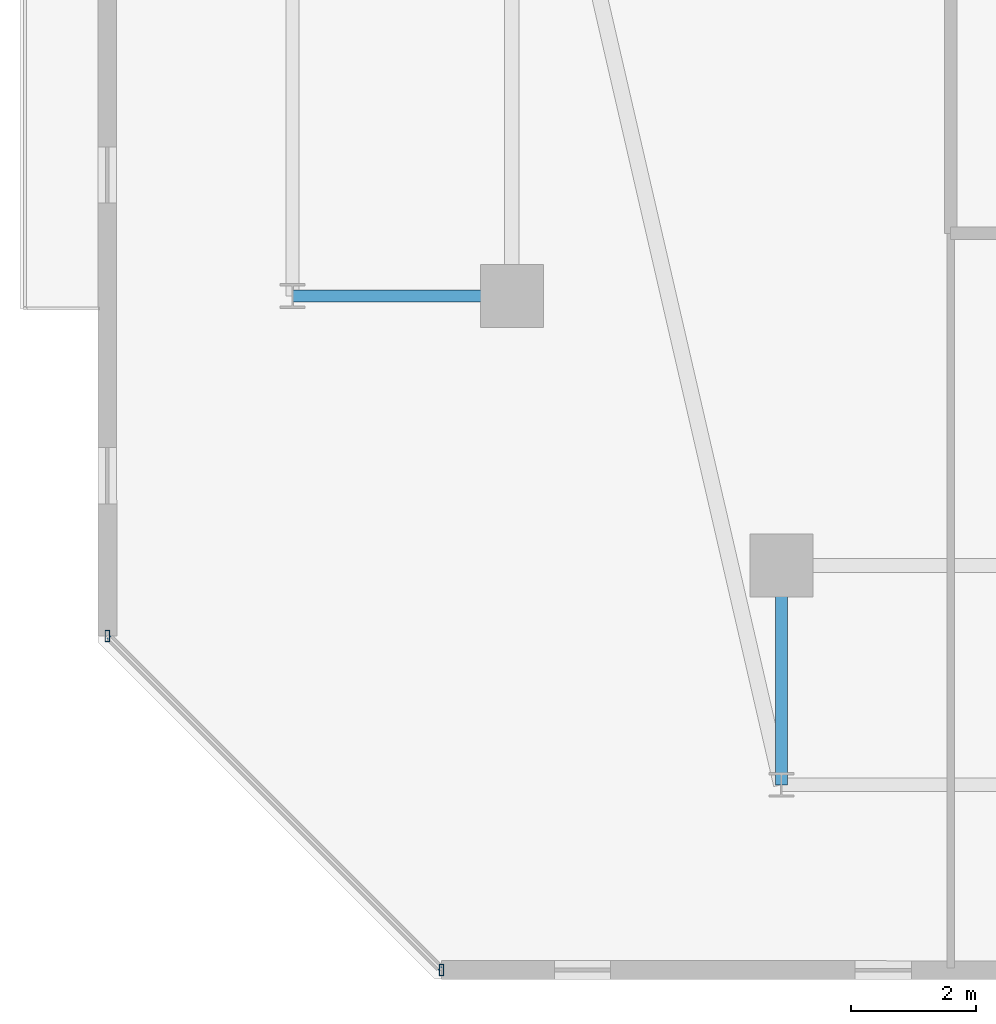
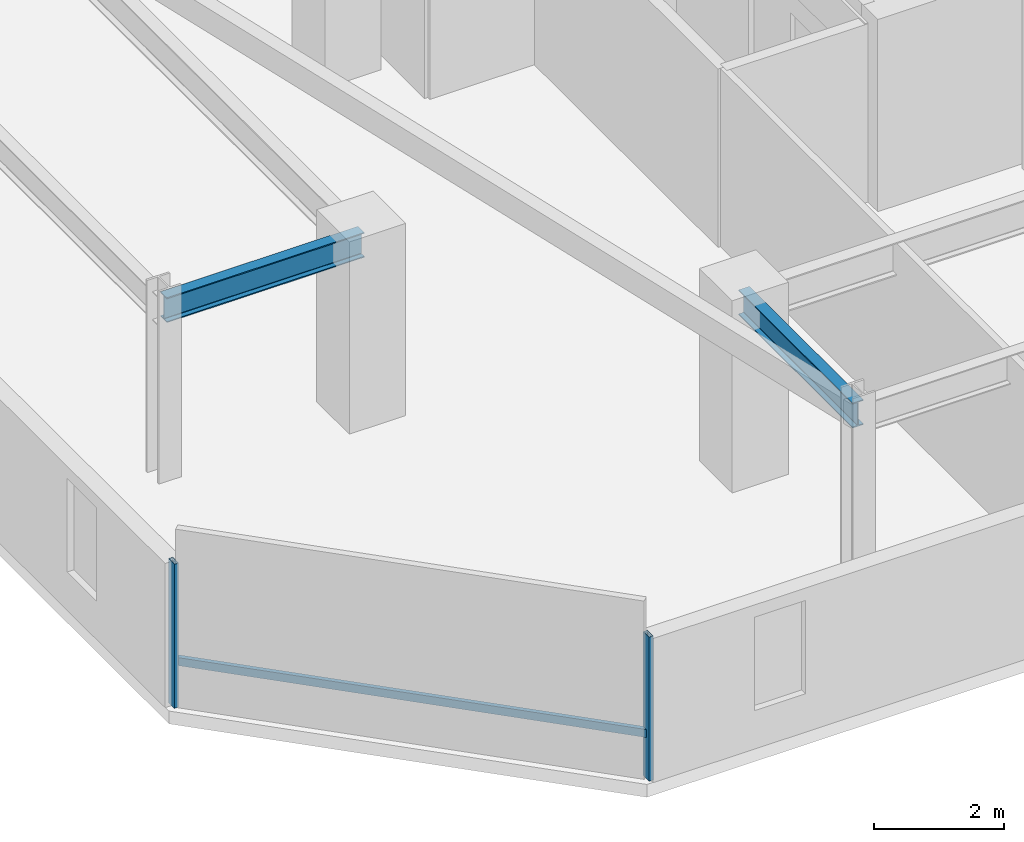
# One storey, part 3 of 32: 3 members, 2 beams, 1 element without a shape of its own.
"""IFC4 building model written with IfcOpenShell, lengths in metres."""

from ifc_helpers import new_model, si_unit, direction, frame, origin, origin_2d, place, context, subcontext, project, spatial, hollow_rectangle, i_section, extrude, material, material_profile, profile_set, type_object, element, aggregate, save


model = new_model("IFC4")

# Units and contexts
model_context = context("Model", 3, precision=1e-05, world=origin(), true_north=direction((0.0, 1.0)))
body_context = subcontext(model_context, "Body", "Model", "MODEL_VIEW")
ifc_project = project(units=[si_unit("LENGTHUNIT", "METRE"), si_unit("AREAUNIT", "SQUARE_METRE"), si_unit("VOLUMEUNIT", "CUBIC_METRE"), si_unit("PLANEANGLEUNIT", "RADIAN"), si_unit("MASSUNIT", "GRAM", prefix="KILO")], contexts=[model_context])

# Site, building, storey
site_placement = place(None, origin())
site = spatial("IfcSite", under=ifc_project, at=site_placement, CompositionType="ELEMENT")
building_placement = place(site_placement, origin())
building = spatial("IfcBuilding", under=site, at=building_placement, Name="Thornwick Lancets Civic Towers", CompositionType="ELEMENT")
storey_placement = place(building_placement, frame((0.0, 0.0, 240.300048828125)))
storey = spatial("IfcBuildingStorey", under=building, at=storey_placement, Name="L64", CompositionType="ELEMENT", Elevation=240.300048828125)

# Beams
ifc_material_1 = material(Name="Steel S355JR", Category="steel")
ifc_material_profile_1 = material_profile(ifc_material_1, i_section(OverallWidth=0.19287109375, OverallDepth=0.46728515625, WebThickness=0.011474609375, FlangeThickness=0.01953125, FilletRadius=0.01025390625, at=origin_2d()), Name="UKB 457x191x98")
ifc_profile_set_1 = profile_set([ifc_material_profile_1], Name="Steel S355JR")
beam_type = type_object("IfcBeamType", Name="BM_JOIST_457_98", PredefinedType="JOIST", material=ifc_profile_set_1)
for number, where, z_axis, x_axis, name in (
    (1, (12.5, 9.699951171875, 3.12646484375), (0.0, -1.0, 0.0), (1.0, 0.0, 0.0), "BM-RAD-L64-A01"),
    (2, (8.199951171875, 14.0, 3.12646484375), (-1.0, 0.0, 0.0), (0.0, -1.0, 0.0), "BM-RAD-L64-A10"),
):
    element("IfcBeam", number, at=place(storey_placement, frame(where, z_axis=z_axis, x_axis=x_axis)), inside=storey, type_object=beam_type, Name=name, PredefinedType="JOIST", context=body_context, shape_type="SweptSolid", body=[
        extrude(i_section(OverallWidth=0.19287109375, OverallDepth=0.46728515625, WebThickness=0.011474609375, FlangeThickness=0.01953125, FilletRadius=0.01025390625, at=origin_2d()), origin(), (0.0, 0.0, 1.0), 3.5),
    ])

# Curtain wall, members
ifc_material_2 = material(Name="High-zone chamfered-corner unitised glass curtain wall", Category="glass")
curtain_wall_type = type_object("IfcCurtainWallType", Name="CW_SYS_05", PredefinedType="NOTDEFINED", material=ifc_material_2)
curtain_wall_placement = place(storey_placement, origin())
curtain_wall = element("IfcCurtainWall", 3, at=curtain_wall_placement, inside=storey, type_object=curtain_wall_type, Name="L64 Curtain Wall CW-L64-A-E7", PredefinedType="NOTDEFINED")
ifc_material_3 = material(Name="Thermally broken bronze aluminium S355", Category="steel")
ifc_material_profile_2 = material_profile(ifc_material_3, hollow_rectangle(XDim=0.074951171875, YDim=0.179931640625, WallThickness=0.006103515625, at=origin_2d()), Name="RHS 180x75x6")
ifc_profile_set_2 = profile_set([ifc_material_profile_2], Name="Thermally broken bronze aluminium S355")
member_type_1 = type_object("IfcMemberType", Name="CW_MUL_180", PredefinedType="MULLION", material=ifc_profile_set_2)
member_1_placement = place(storey_placement, frame((1.744384765625, 8.576416015625, 0.0), z_axis=(0.0, 0.0, 1.0), x_axis=(1.0, 0.0, 0.0)))
member_1 = element("IfcMember", 4, at=member_1_placement, type_object=member_type_1, Name="CW-L64-A-E7 Mullion 0", PredefinedType="MULLION", context=body_context, shape_type="SweptSolid", body=[
    extrude(hollow_rectangle(XDim=0.074951171875, YDim=0.179931640625, WallThickness=0.006103515625, at=origin_2d()), origin(), (0.0, 0.0, 1.0), 2.699951171875),
])
member_2_placement = place(storey_placement, frame((7.076416015625, 3.244384765625, 0.0), z_axis=(0.0, 0.0, 1.0), x_axis=(1.0, 0.0, 0.0)))
member_2 = element("IfcMember", 5, at=member_2_placement, type_object=member_type_1, Name="CW-L64-A-E7 Mullion 1", PredefinedType="MULLION", context=body_context, shape_type="SweptSolid", body=[
    extrude(hollow_rectangle(XDim=0.074951171875, YDim=0.179931640625, WallThickness=0.006103515625, at=origin_2d()), origin(), (0.0, 0.0, 1.0), 2.699951171875),
])
ifc_material_profile_3 = material_profile(ifc_material_3, hollow_rectangle(XDim=0.074951171875, YDim=0.14990234375, WallThickness=0.0048828125, at=origin_2d()), Name="RHS 150x75x5")
ifc_profile_set_3 = profile_set([ifc_material_profile_3], Name="Thermally broken bronze aluminium S355")
member_type_2 = type_object("IfcMemberType", Name="CW_TRN_150", PredefinedType="USERDEFINED", material=ifc_profile_set_3)
member_3_placement = place(storey_placement, frame((1.758544921875, 8.562255859375, 0.849853515625), z_axis=(0.707106781187, -0.707106781187, 0.0), x_axis=(0.707106781187, 0.707106781187, 0.0)))
member_3 = element("IfcMember", 6, at=member_3_placement, type_object=member_type_2, Name="CW-L64-A-E7 Transom 0", ObjectType="TRANSOM", PredefinedType="USERDEFINED", context=body_context, shape_type="SweptSolid", body=[
    extrude(hollow_rectangle(XDim=0.074951171875, YDim=0.14990234375, WallThickness=0.0048828125, at=origin_2d()), origin(), (0.0, 0.0, 1.0), 7.50048828125),
])
aggregate(curtain_wall, [member_1, member_2, member_3])

save(model, "model.ifc")
